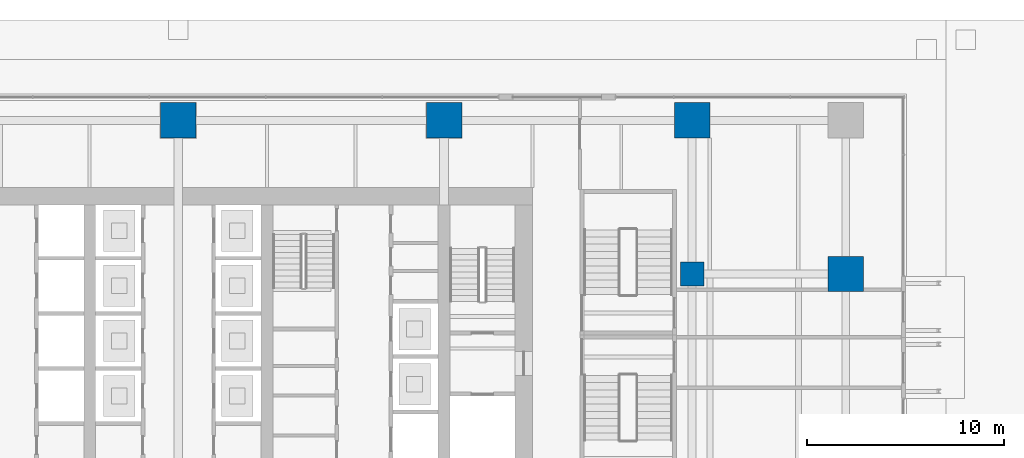
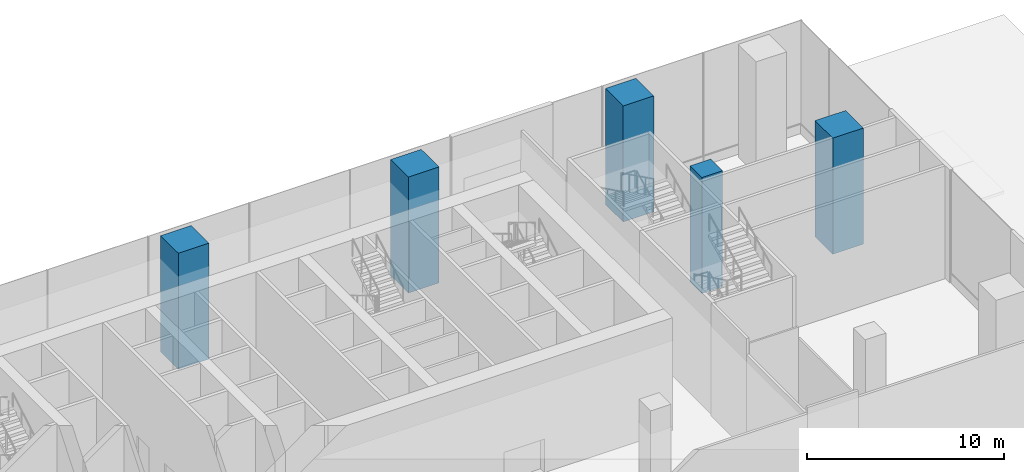
# One storey, part 9 of 41: 5 columns.
"""IFC4 building model written with IfcOpenShell, lengths in metres."""

import ifcopenshell
import ifcopenshell.guid

model = None  # the IFC model being written
_history = None  # IfcOwnerHistory: only IFC2X3 demands one
_inside = {}  # id of a spatial element -> (the spatial element, [elements in it])
_under = {}  # id of a project, library or spatial element -> (it, [spatial elements below it])
_declared = {}  # id of a project -> (the project, [libraries it declares])
_typed = {}  # id of a type object -> (the type object, [elements of that type])
_made_of = {}  # id of a material, layer set ... -> (it, [elements and type objects made of it])


def new_model(schema):
    """Start an empty IFC model of exactly this schema.

    Asked for "IFC4X3", IfcOpenShell would pick the latest addendum, in which some entities
    have other attributes; the version numbers below select the first issue.
    IFC2X3 requires an IfcOwnerHistory on every rooted entity: one is made here for all.
    """
    global model, _history
    if schema == "IFC4X3":
        model = ifcopenshell.file(schema_version=(4, 3, 0, 0))
    else:
        model = ifcopenshell.file(schema=schema)
    _inside.clear()
    _under.clear()
    _declared.clear()
    _typed.clear()
    _made_of.clear()
    _history = None
    if model.schema == "IFC2X3":
        org = make("IfcOrganization", Name="unknown")
        user = make(
            "IfcPersonAndOrganization",
            ThePerson=make("IfcPerson", FamilyName="unknown"),
            TheOrganization=org,
        )
        app = make(
            "IfcApplication",
            ApplicationDeveloper=org,
            Version="unknown",
            ApplicationFullName="unknown",
            ApplicationIdentifier="unknown",
        )
        _history = make(
            "IfcOwnerHistory",
            OwningUser=user,
            OwningApplication=app,
            ChangeAction="ADDED",
            CreationDate=0,
        )
    return model


def make(cls, **values):
    """One entity of the class cls with the attributes given. An attribute that is None is left unset."""
    return model.create_entity(
        cls, **{name: value for name, value in values.items() if value is not None}
    )


def rooted(cls, **values):
    """An entity with a GlobalId (a new one), such as an element, a storey or a relation."""
    return make(cls, GlobalId=ifcopenshell.guid.new(), OwnerHistory=_history, **values)


def si_unit(unit_type, name, prefix=None):
    """IfcSIUnit, for example si_unit("LENGTHUNIT", "METRE", prefix="MILLI")."""
    return make("IfcSIUnit", UnitType=unit_type, Prefix=prefix, Name=name)


def assignment(units):
    """IfcUnitAssignment: the units of a project."""
    return None if units is None else make("IfcUnitAssignment", Units=units)


def point(xyz):
    """IfcCartesianPoint."""
    return None if xyz is None else make("IfcCartesianPoint", Coordinates=xyz)


def direction(xyz):
    """IfcDirection."""
    return None if xyz is None else make("IfcDirection", DirectionRatios=xyz)


def frame(location, z_axis=None, x_axis=None):
    """IfcAxis2Placement3D, a coordinate frame: its origin and axes. An axis left out is left unset."""
    return make(
        "IfcAxis2Placement3D",
        Location=point(location),
        Axis=direction(z_axis),
        RefDirection=direction(x_axis),
    )


def frame_2d(location, x_axis=None):
    """IfcAxis2Placement2D, a coordinate frame in the plane: its origin and x axis."""
    return make(
        "IfcAxis2Placement2D", Location=point(location), RefDirection=direction(x_axis)
    )


def origin():
    """The frame at (0, 0, 0) with its axes left unset."""
    return frame((0.0, 0.0, 0.0))


def origin_2d():
    """The frame at (0, 0) in the plane with its x axis left unset."""
    return frame_2d((0.0, 0.0))


def place(relative_to, where):
    """IfcLocalPlacement: puts the frame where relative to a parent placement (None: the world)."""
    return make(
        "IfcLocalPlacement", PlacementRelTo=relative_to, RelativePlacement=where
    )


def context(
    kind, dimensions, precision=None, world=None, true_north=None, identifier=None
):
    """IfcGeometricRepresentationContext, for example the 3D "Model" context."""
    return make(
        "IfcGeometricRepresentationContext",
        ContextIdentifier=identifier,
        ContextType=kind,
        CoordinateSpaceDimension=dimensions,
        Precision=precision,
        WorldCoordinateSystem=world,
        TrueNorth=true_north,
    )


def subcontext(parent, identifier, kind, view, scale=None):
    """IfcGeometricRepresentationSubContext, for example "Body" below "Model"."""
    return make(
        "IfcGeometricRepresentationSubContext",
        ContextIdentifier=identifier,
        ContextType=kind,
        ParentContext=parent,
        TargetScale=scale,
        TargetView=view,
    )


def project(units=None, contexts=None):
    """IfcProject with its units and contexts."""
    return rooted(
        "IfcProject",
        Name="project",
        RepresentationContexts=contexts,
        UnitsInContext=assignment(units),
    )


def spatial(cls, under=None, at=None, **own):
    """A site, building, storey or space (cls), placed at a placement, below another one or the project."""
    s = rooted(cls, ObjectPlacement=at, **own)
    if under is not None:
        _under.setdefault(under.id(), (under, []))[1].append(s)
    return s


def profile(cls, at=None, kind="AREA", **sizes):
    """A parametric profile (cls). Its sizes go by their IFC names, for example OverallWidth=200.0."""
    return make(cls, ProfileType=kind, Position=at, **sizes)


def rectangle(**sizes):
    """IfcRectangleProfileDef."""
    return profile("IfcRectangleProfileDef", **sizes)


def extrude(swept, where, along, depth):
    """IfcExtrudedAreaSolid: the profile swept, set in the frame where, extruded along a direction by depth."""
    return make(
        "IfcExtrudedAreaSolid",
        SweptArea=swept,
        Position=where,
        ExtrudedDirection=direction(along),
        Depth=depth,
    )


def shape(context_of_items, identifier, shape_type, items):
    """IfcShapeRepresentation: the items that make up one representation, for example the "Body"."""
    return make(
        "IfcShapeRepresentation",
        ContextOfItems=context_of_items,
        RepresentationIdentifier=identifier,
        RepresentationType=shape_type,
        Items=items,
    )


def material(Name=None, Category=None):
    """IfcMaterial."""
    return make("IfcMaterial", Name=Name, Category=Category)


def material_profile(
    of_material, cross_section, Name=None, Category=None, Priority=None
):
    """IfcMaterialProfile: a cross section and its material."""
    return make(
        "IfcMaterialProfile",
        Name=Name,
        Material=of_material,
        Profile=cross_section,
        Priority=Priority,
        Category=Category,
    )


def profile_set(profiles, Name=None, composite=None):
    """IfcMaterialProfileSet."""
    return make(
        "IfcMaterialProfileSet",
        Name=Name,
        MaterialProfiles=profiles,
        CompositeProfile=composite,
    )


def made_of(thing, what):
    """Note that an element or type object is made of a material, layer set ...; save() writes the relation."""
    if what is not None:
        _made_of.setdefault(what.id(), (what, []))[1].append(thing)
    return thing


def type_object(cls, material=None, **own):
    """A type object (cls), such as IfcWallType, which elements share."""
    return made_of(rooted(cls, **own), material)


def element(
    cls,
    number,
    at=None,
    inside=None,
    cuts=None,
    type_object=None,
    material=None,
    context=None,
    identifier="Body",
    shape_type=None,
    held_by="IfcProductDefinitionShape",
    body=None,
    shapes=None,
    **own,
):
    """One element of the class cls, such as IfcWall. Its Tag is "e" and its number.

    at: its placement. inside: the storey or other place that contains it. cuts: it is an
    opening in that element (IfcRelVoidsElement). A single representation is given by context,
    identifier, shape_type and body (its items); several are given by shapes. held_by: the class
    of the entity that holds the representations. save() writes the other relations.
    """
    e = rooted(cls, Tag="e%d" % number, ObjectPlacement=at, **own)
    if body is not None:
        shapes = [shape(context, identifier, shape_type, body)]
    if shapes is not None:
        e.Representation = make(held_by, Representations=shapes)
    if inside is not None:
        _inside.setdefault(inside.id(), (inside, []))[1].append(e)
    if cuts is not None:
        rooted(
            "IfcRelVoidsElement", RelatingBuildingElement=cuts, RelatedOpeningElement=e
        )
    if type_object is not None:
        _typed.setdefault(type_object.id(), (type_object, []))[1].append(e)
    return made_of(e, material)


def aggregate(whole, parts):
    """IfcRelAggregates: a whole, such as a stair, and the parts it consists of."""
    return rooted("IfcRelAggregates", RelatingObject=whole, RelatedObjects=parts)


def save(model, path):
    """Write the relations noted so far, then the file.

    IfcRelAggregates (storeys below a building ...), IfcRelContainedInSpatialStructure (elements
    in a storey), IfcRelDefinesByType, IfcRelAssociatesMaterial and IfcRelDeclares: one each for
    every whole, place, type object, material and project.
    """
    for whole, parts in _under.values():
        aggregate(whole, parts)
    for where, things in _inside.values():
        rooted(
            "IfcRelContainedInSpatialStructure",
            RelatedElements=things,
            RelatingStructure=where,
        )
    for kind, things in _typed.values():
        rooted("IfcRelDefinesByType", RelatedObjects=things, RelatingType=kind)
    for what, things in _made_of.values():
        rooted("IfcRelAssociatesMaterial", RelatedObjects=things, RelatingMaterial=what)
    for by, libraries in _declared.values():
        rooted("IfcRelDeclares", RelatingContext=by, RelatedDefinitions=libraries)
    model.write(path)


model = new_model("IFC4")

# Units and contexts
model_context = context("Model", 3, precision=1e-05, world=origin(), true_north=direction((0.0, 1.0)))
body_context = subcontext(model_context, "Body", "Model", "MODEL_VIEW")
ifc_project = project(units=[si_unit("LENGTHUNIT", "METRE"), si_unit("AREAUNIT", "SQUARE_METRE"), si_unit("VOLUMEUNIT", "CUBIC_METRE"), si_unit("PLANEANGLEUNIT", "RADIAN"), si_unit("MASSUNIT", "GRAM", prefix="KILO")], contexts=[model_context])

# Site, building, storey
site_placement = place(None, origin())
site = spatial("IfcSite", under=ifc_project, at=site_placement, CompositionType="ELEMENT")
building_placement = place(site_placement, origin())
building = spatial("IfcBuilding", under=site, at=building_placement, Name="Rattan Terrace Tower", CompositionType="ELEMENT")
storey_placement = place(building_placement, origin())
storey = spatial("IfcBuildingStorey", under=building, at=storey_placement, Name="L00", CompositionType="ELEMENT", Elevation=0.0)

# Columns
ifc_material_1 = material(Name="Concrete C60/75", Category="concrete")
ifc_material_profile_1 = material_profile(ifc_material_1, rectangle(XDim=1.800048828125, YDim=1.800048828125, at=origin_2d()), Name="CFT 1800x1800")
ifc_profile_set_1 = profile_set([ifc_material_profile_1], Name="Concrete C60/75")
column_type_1 = type_object("IfcColumnType", Name="Frame exoskeleton column CFT 1800x1800", PredefinedType="COLUMN", material=ifc_profile_set_1)
for number, where, z_axis, x_axis, name in (
    (1, (33.89990234375, 3.10009765625, -0.199951171875), (0.0, 0.0, 1.0), (0.0, 1.0, 0.0), "exo-L00-015"),
    (2, (0.0, 10.89990234375, -0.199951171875), (0.0, 0.0, 1.0), (1.0, 0.0, 0.0), "exo-L00-018"),
    (3, (13.5, 10.89990234375, -0.199951171875), (0.0, 0.0, 1.0), (1.0, 0.0, 0.0), "exo-L00-019"),
    (4, (26.10009765625, 10.89990234375, -0.199951171875), (0.0, 0.0, 1.0), (1.0, 0.0, 0.0), "exo-L00-020"),
):
    element("IfcColumn", number, at=place(storey_placement, frame(where, z_axis=z_axis, x_axis=x_axis)), inside=storey, type_object=column_type_1, Name=name, PredefinedType="COLUMN", context=body_context, shape_type="SweptSolid", body=[
        extrude(rectangle(XDim=1.800048828125, YDim=1.800048828125, at=origin_2d()), origin(), (0.0, 0.0, 1.0), 7.199951171875),
    ])
ifc_material_2 = material(Name="Concrete C60/75", Category="concrete")
ifc_material_profile_2 = material_profile(ifc_material_2, rectangle(XDim=1.199951171875, YDim=1.199951171875, at=origin_2d()), Name="RC 1200x1200")
ifc_profile_set_2 = profile_set([ifc_material_profile_2], Name="Concrete C60/75")
column_type_2 = type_object("IfcColumnType", Name="Frame interior column RC 1200x1200", PredefinedType="COLUMN", material=ifc_profile_set_2)
column_placement = place(storey_placement, frame((26.10009765625, 3.10009765625, -0.199951171875), z_axis=(0.0, 0.0, 1.0), x_axis=(1.0, 0.0, 0.0)))
element("IfcColumn", 5, at=column_placement, inside=storey, type_object=column_type_2, Name="col-L00-012", PredefinedType="COLUMN", context=body_context, shape_type="SweptSolid", body=[
    extrude(rectangle(XDim=1.199951171875, YDim=1.199951171875, at=origin_2d()), origin(), (0.0, 0.0, 1.0), 7.199951171875),
])

save(model, "model.ifc")
